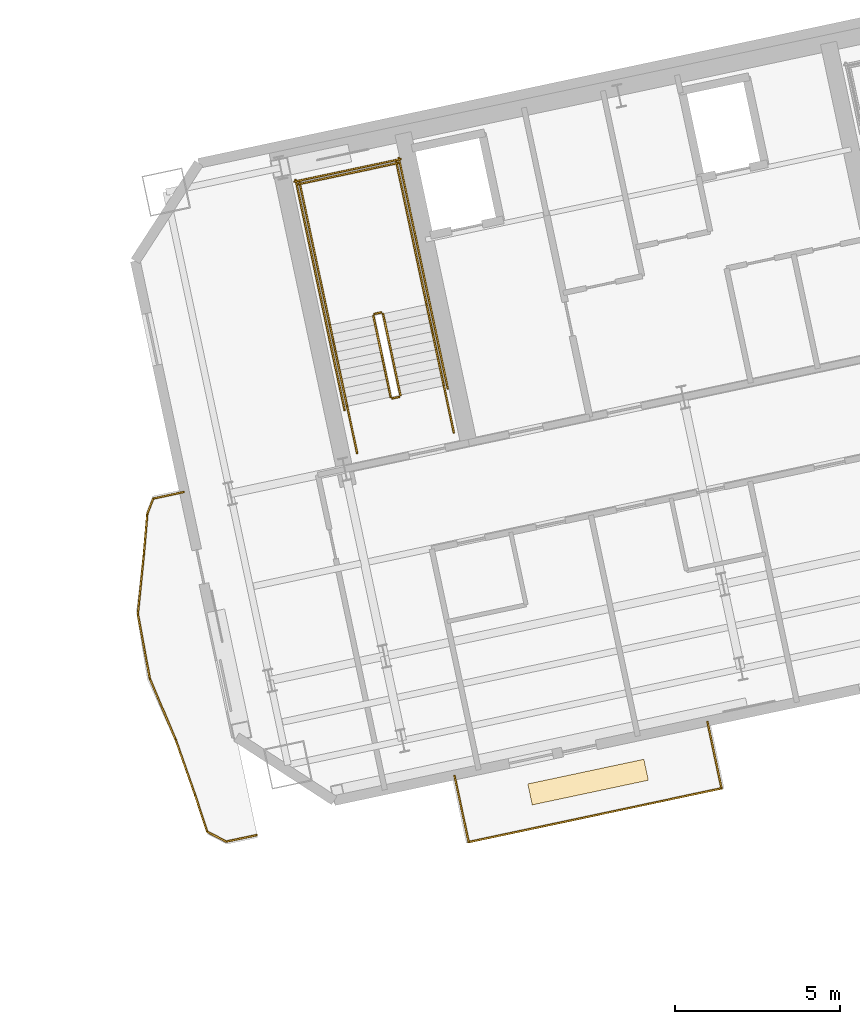
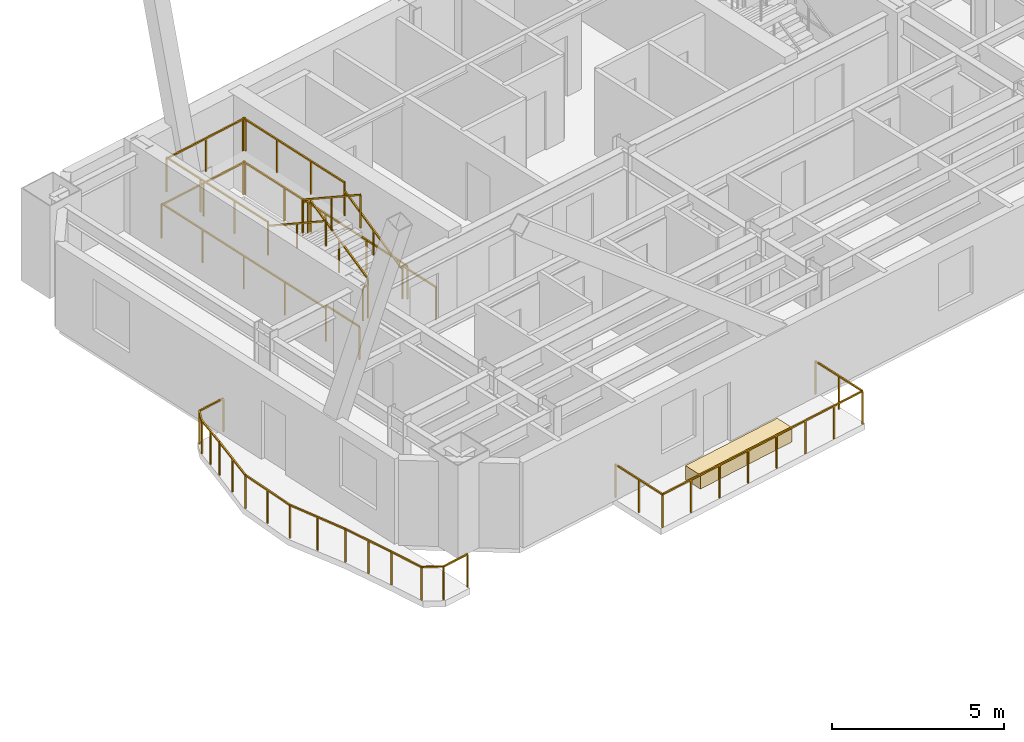
# One storey, part 12 of 13: 27 railings, 1 covering.
"""IFC4 building model written with IfcOpenShell, lengths in metres."""

from ifc_helpers import new_model, si_unit, direction, frame, origin, origin_2d, place, context, subcontext, project, spatial, rectangle, extrude, material, layer, layer_set, type_object, element, save


model = new_model("IFC4")

# Units and contexts
model_context = context("Model", 3, precision=1e-05, world=origin(), true_north=direction((0.0, 1.0)))
body_context = subcontext(model_context, "Body", "Model", "MODEL_VIEW")
ifc_project = project(units=[si_unit("LENGTHUNIT", "METRE"), si_unit("AREAUNIT", "SQUARE_METRE"), si_unit("VOLUMEUNIT", "CUBIC_METRE"), si_unit("PLANEANGLEUNIT", "RADIAN"), si_unit("MASSUNIT", "GRAM", prefix="KILO")], contexts=[model_context])

# Site, building, storey
site_placement = place(None, origin())
site = spatial("IfcSite", under=ifc_project, at=site_placement, CompositionType="ELEMENT")
building_placement = place(site_placement, origin())
building = spatial("IfcBuilding", under=site, at=building_placement, Name="Haevon Station Towers", CompositionType="ELEMENT")
storey_placement = place(building_placement, frame((0.0, 0.0, 185.699951171875)))
storey = spatial("IfcBuildingStorey", under=building, at=storey_placement, Name="L51", CompositionType="ELEMENT", Elevation=185.699951171875)

# Railings
ifc_material_1 = material(Name="Steel S355", Category="steel")
railing_type_1 = type_object("IfcRailingType", Name="GRD-EXT1200", PredefinedType="GUARDRAIL", material=ifc_material_1)
railing_1_placement = place(storey_placement, frame((93.866455078125, 36.74853515625, 0.0)))
element("IfcRailing", 1, at=railing_1_placement, inside=storey, type_object=railing_type_1, Name="L51 Perimeter Guardrail 1", PredefinedType="GUARDRAIL", context=body_context, shape_type="SweptSolid", body=[
    extrude(rectangle(XDim=0.048095703125, YDim=0.048095703125, at=origin_2d()), frame((0.0, 0.0, 1.17578125), z_axis=(-0.977684892297, -0.210076774952, 0.0), x_axis=(0.210076774952, -0.977684892297, 0.0)), (0.0, 0.0, 1.0), 0.943603515625),
    extrude(rectangle(XDim=0.0419921875, YDim=0.0419921875, at=origin_2d()), origin(), (0.0, 0.0, 1.0), 1.15185546875),
    extrude(rectangle(XDim=0.0419921875, YDim=0.0419921875, at=origin_2d()), frame((-0.922607421875, -0.1982421875, 0.0)), (0.0, 0.0, 1.0), 1.15185546875),
])
railing_2_placement = place(storey_placement, frame((92.94384765625, 36.55029296875, 0.0)))
element("IfcRailing", 2, at=railing_2_placement, inside=storey, type_object=railing_type_1, Name="L51 Perimeter Guardrail 2", PredefinedType="GUARDRAIL", context=body_context, shape_type="SweptSolid", body=[
    extrude(rectangle(XDim=0.048095703125, YDim=0.048095703125, at=origin_2d()), frame((0.0, 0.0, 1.17578125), z_axis=(-0.3657443694, -0.930715346522, 0.0), x_axis=(0.930715346522, -0.3657443694, 0.0)), (0.0, 0.0, 1.0), 0.49267578125),
    extrude(rectangle(XDim=0.0419921875, YDim=0.0419921875, at=origin_2d()), origin(), (0.0, 0.0, 1.0), 1.15185546875),
    extrude(rectangle(XDim=0.0419921875, YDim=0.0419921875, at=origin_2d()), frame((-0.18017578125, -0.45849609375, 0.0)), (0.0, 0.0, 1.0), 1.15185546875),
])
railing_3_placement = place(storey_placement, frame((92.763671875, 36.091796875, 0.0)))
element("IfcRailing", 3, at=railing_3_placement, inside=storey, type_object=railing_type_1, Name="L51 Perimeter Guardrail 3", PredefinedType="GUARDRAIL", context=body_context, shape_type="SweptSolid", body=[
    extrude(rectangle(XDim=0.048095703125, YDim=0.048095703125, at=origin_2d()), frame((0.0, 0.0, 1.17578125), z_axis=(-0.084251569955, -0.996444515746, 0.0), x_axis=(0.996444515746, -0.084251569955, 0.0)), (0.0, 0.0, 1.0), 1.222900390625),
    extrude(rectangle(XDim=0.0419921875, YDim=0.0419921875, at=origin_2d()), origin(), (0.0, 0.0, 1.0), 1.15185546875),
    extrude(rectangle(XDim=0.0419921875, YDim=0.0419921875, at=origin_2d()), frame((-0.051513671875, -0.609375, 0.0)), (0.0, 0.0, 1.0), 1.15185546875),
    extrude(rectangle(XDim=0.0419921875, YDim=0.0419921875, at=origin_2d()), frame((-0.10302734375, -1.218505859375, 0.0)), (0.0, 0.0, 1.0), 1.15185546875),
])
railing_4_placement = place(storey_placement, frame((92.66064453125, 34.873291015625, 0.0)))
element("IfcRailing", 4, at=railing_4_placement, inside=storey, type_object=railing_type_1, Name="L51 Perimeter Guardrail 4", PredefinedType="GUARDRAIL", context=body_context, shape_type="SweptSolid", body=[
    extrude(rectangle(XDim=0.048095703125, YDim=0.048095703125, at=origin_2d()), frame((0.0, 0.0, 1.17578125), z_axis=(-0.100440099448, -0.994943107129, 0.0), x_axis=(0.994943107129, -0.100440099448, 0.0)), (0.0, 0.0, 1.0), 1.832763671875),
    extrude(rectangle(XDim=0.0419921875, YDim=0.0419921875, at=origin_2d()), origin(), (0.0, 0.0, 1.0), 1.15185546875),
    extrude(rectangle(XDim=0.0419921875, YDim=0.0419921875, at=origin_2d()), frame((-0.092041015625, -0.91162109375, 0.0)), (0.0, 0.0, 1.0), 1.15185546875),
    extrude(rectangle(XDim=0.0419921875, YDim=0.0419921875, at=origin_2d()), frame((-0.18408203125, -1.823486328125, 0.0)), (0.0, 0.0, 1.0), 1.15185546875),
])
railing_5_placement = place(storey_placement, frame((92.4765625, 33.0498046875, 0.0)))
element("IfcRailing", 5, at=railing_5_placement, inside=storey, type_object=railing_type_1, Name="L51 Perimeter Guardrail 5", PredefinedType="GUARDRAIL", context=body_context, shape_type="SweptSolid", body=[
    extrude(rectangle(XDim=0.048095703125, YDim=0.048095703125, at=origin_2d()), frame((0.0, 0.0, 1.17578125), z_axis=(0.182084875325, -0.983282816985, 0.0), x_axis=(0.983282816985, 0.182084875325, 0.0)), (0.0, 0.0, 1.0), 1.993896484375),
    extrude(rectangle(XDim=0.0419921875, YDim=0.0419921875, at=origin_2d()), origin(), (0.0, 0.0, 1.0), 1.15185546875),
    extrude(rectangle(XDim=0.0419921875, YDim=0.0419921875, at=origin_2d()), frame((0.181640625, -0.980224609375, 0.0)), (0.0, 0.0, 1.0), 1.15185546875),
    extrude(rectangle(XDim=0.0419921875, YDim=0.0419921875, at=origin_2d()), frame((0.363037109375, -1.96044921875, 0.0)), (0.0, 0.0, 1.0), 1.15185546875),
])
railing_6_placement = place(storey_placement, frame((92.839599609375, 31.08935546875, 0.0)))
element("IfcRailing", 6, at=railing_6_placement, inside=storey, type_object=railing_type_1, Name="L51 Perimeter Guardrail 6", PredefinedType="GUARDRAIL", context=body_context, shape_type="SweptSolid", body=[
    extrude(rectangle(XDim=0.048095703125, YDim=0.048095703125, at=origin_2d()), frame((0.0, 0.0, 1.17578125), z_axis=(0.389683229783, -0.920948956472, 0.0), x_axis=(0.920948956472, 0.389683229783, 0.0)), (0.0, 0.0, 1.0), 2.026123046875),
    extrude(rectangle(XDim=0.0419921875, YDim=0.0419921875, at=origin_2d()), origin(), (0.0, 0.0, 1.0), 1.15185546875),
    extrude(rectangle(XDim=0.0419921875, YDim=0.0419921875, at=origin_2d()), frame((0.394775390625, -0.93310546875, 0.0)), (0.0, 0.0, 1.0), 1.15185546875),
    extrude(rectangle(XDim=0.0419921875, YDim=0.0419921875, at=origin_2d()), frame((0.78955078125, -1.865966796875, 0.0)), (0.0, 0.0, 1.0), 1.15185546875),
])
railing_7_placement = place(storey_placement, frame((93.629150390625, 29.223388671875, 0.0)))
element("IfcRailing", 7, at=railing_7_placement, inside=storey, type_object=railing_type_1, Name="L51 Perimeter Guardrail 7", PredefinedType="GUARDRAIL", context=body_context, shape_type="SweptSolid", body=[
    extrude(rectangle(XDim=0.048095703125, YDim=0.048095703125, at=origin_2d()), frame((0.0, 0.0, 1.17578125), z_axis=(0.332168477045, -0.943220071276, 0.0), x_axis=(0.943220071276, 0.332168477045, 0.0)), (0.0, 0.0, 1.0), 1.763916015625),
    extrude(rectangle(XDim=0.0419921875, YDim=0.0419921875, at=origin_2d()), origin(), (0.0, 0.0, 1.0), 1.15185546875),
    extrude(rectangle(XDim=0.0419921875, YDim=0.0419921875, at=origin_2d()), frame((0.29296875, -0.83203125, 0.0)), (0.0, 0.0, 1.0), 1.15185546875),
    extrude(rectangle(XDim=0.0419921875, YDim=0.0419921875, at=origin_2d()), frame((0.5859375, -1.663818359375, 0.0)), (0.0, 0.0, 1.0), 1.15185546875),
])
railing_8_placement = place(storey_placement, frame((94.215087890625, 27.5595703125, 0.0)))
element("IfcRailing", 8, at=railing_8_placement, inside=storey, type_object=railing_type_1, Name="L51 Perimeter Guardrail 8", PredefinedType="GUARDRAIL", context=body_context, shape_type="SweptSolid", body=[
    extrude(rectangle(XDim=0.048095703125, YDim=0.048095703125, at=origin_2d()), frame((0.0, 0.0, 1.17578125), z_axis=(0.312679916447, -0.949858552549, 0.0), x_axis=(0.949858552549, 0.312679916447, 0.0)), (0.0, 0.0, 1.0), 1.177490234375),
    extrude(rectangle(XDim=0.0419921875, YDim=0.0419921875, at=origin_2d()), origin(), (0.0, 0.0, 1.0), 1.15185546875),
    extrude(rectangle(XDim=0.0419921875, YDim=0.0419921875, at=origin_2d()), frame((0.3681640625, -1.118408203125, 0.0)), (0.0, 0.0, 1.0), 1.15185546875),
])
railing_9_placement = place(storey_placement, frame((94.583251953125, 26.441162109375, 0.0)))
element("IfcRailing", 9, at=railing_9_placement, inside=storey, type_object=railing_type_1, Name="L51 Perimeter Guardrail 9", PredefinedType="GUARDRAIL", context=body_context, shape_type="SweptSolid", body=[
    extrude(rectangle(XDim=0.048095703125, YDim=0.048095703125, at=origin_2d()), frame((0.0, 0.0, 1.17578125), z_axis=(0.886739807276, -0.462268876513, 0.0), x_axis=(0.462268876513, 0.886739807276, 0.0)), (0.0, 0.0, 1.0), 0.64599609375),
    extrude(rectangle(XDim=0.0419921875, YDim=0.0419921875, at=origin_2d()), origin(), (0.0, 0.0, 1.0), 1.15185546875),
    extrude(rectangle(XDim=0.0419921875, YDim=0.0419921875, at=origin_2d()), frame((0.57275390625, -0.298583984375, 0.0)), (0.0, 0.0, 1.0), 1.15185546875),
])
railing_10_placement = place(storey_placement, frame((95.156005859375, 26.142578125, 0.0)))
element("IfcRailing", 10, at=railing_10_placement, inside=storey, type_object=railing_type_1, Name="L51 Perimeter Guardrail 10", PredefinedType="GUARDRAIL", context=body_context, shape_type="SweptSolid", body=[
    extrude(rectangle(XDim=0.048095703125, YDim=0.048095703125, at=origin_2d()), frame((0.0, 0.0, 1.17578125), z_axis=(0.978560764673, 0.205958320645, 0.0), x_axis=(-0.205958320645, 0.978560764673, 0.0)), (0.0, 0.0, 1.0), 0.943603515625),
    extrude(rectangle(XDim=0.0419921875, YDim=0.0419921875, at=origin_2d()), origin(), (0.0, 0.0, 1.0), 1.15185546875),
    extrude(rectangle(XDim=0.0419921875, YDim=0.0419921875, at=origin_2d()), frame((0.92333984375, 0.1943359375, 0.0)), (0.0, 0.0, 1.0), 1.15185546875),
])
railing_11_placement = place(storey_placement, frame((102.514404296875, 26.127685546875, 0.0)))
element("IfcRailing", 11, at=railing_11_placement, inside=storey, type_object=railing_type_1, Name="L51 Perimeter Guardrail 1", PredefinedType="GUARDRAIL", context=body_context, shape_type="SweptSolid", body=[
    extrude(rectangle(XDim=0.048095703125, YDim=0.048095703125, at=origin_2d()), frame((0.0, 0.0, 1.17578125), z_axis=(0.978148093399, 0.207909372996, 0.0), x_axis=(-0.207909372996, 0.978148093399, 0.0)), (0.0, 0.0, 1.0), 7.84521484375),
    extrude(rectangle(XDim=0.0419921875, YDim=0.0419921875, at=origin_2d()), origin(), (0.0, 0.0, 1.0), 1.15185546875),
    extrude(rectangle(XDim=0.0419921875, YDim=0.0419921875, at=origin_2d()), frame((1.09619140625, 0.23291015625, 0.0)), (0.0, 0.0, 1.0), 1.15185546875),
    extrude(rectangle(XDim=0.0419921875, YDim=0.0419921875, at=origin_2d()), frame((2.192626953125, 0.466064453125, 0.0)), (0.0, 0.0, 1.0), 1.15185546875),
    extrude(rectangle(XDim=0.0419921875, YDim=0.0419921875, at=origin_2d()), frame((3.288818359375, 0.698974609375, 0.0)), (0.0, 0.0, 1.0), 1.15185546875),
    extrude(rectangle(XDim=0.0419921875, YDim=0.0419921875, at=origin_2d()), frame((4.385009765625, 0.93212890625, 0.0)), (0.0, 0.0, 1.0), 1.15185546875),
    extrude(rectangle(XDim=0.0419921875, YDim=0.0419921875, at=origin_2d()), frame((5.481201171875, 1.1650390625, 0.0)), (0.0, 0.0, 1.0), 1.15185546875),
    extrude(rectangle(XDim=0.0419921875, YDim=0.0419921875, at=origin_2d()), frame((6.57763671875, 1.398193359375, 0.0)), (0.0, 0.0, 1.0), 1.15185546875),
    extrude(rectangle(XDim=0.0419921875, YDim=0.0419921875, at=origin_2d()), frame((7.673828125, 1.631103515625, 0.0)), (0.0, 0.0, 1.0), 1.15185546875),
])
railing_12_placement = place(storey_placement, frame((110.188232421875, 27.7587890625, 0.0)))
element("IfcRailing", 12, at=railing_12_placement, inside=storey, type_object=railing_type_1, Name="L51 Perimeter Guardrail 2", PredefinedType="GUARDRAIL", context=body_context, shape_type="SweptSolid", body=[
    extrude(rectangle(XDim=0.048095703125, YDim=0.048095703125, at=origin_2d()), frame((0.0, 0.0, 1.17578125), z_axis=(-0.207962507169, 0.978136798005, 0.0), x_axis=(-0.978136798005, -0.207962507169, 0.0)), (0.0, 0.0, 1.0), 2.054443359375),
    extrude(rectangle(XDim=0.0419921875, YDim=0.0419921875, at=origin_2d()), origin(), (0.0, 0.0, 1.0), 1.15185546875),
    extrude(rectangle(XDim=0.0419921875, YDim=0.0419921875, at=origin_2d()), frame((-0.213623046875, 1.0048828125, 0.0)), (0.0, 0.0, 1.0), 1.15185546875),
    extrude(rectangle(XDim=0.0419921875, YDim=0.0419921875, at=origin_2d()), frame((-0.42724609375, 2.009521484375, 0.0)), (0.0, 0.0, 1.0), 1.15185546875),
])
railing_13_placement = place(storey_placement, frame((102.08740234375, 28.13720703125, 0.0)))
element("IfcRailing", 13, at=railing_13_placement, inside=storey, type_object=railing_type_1, Name="L51 Perimeter Guardrail 3", PredefinedType="GUARDRAIL", context=body_context, shape_type="SweptSolid", body=[
    extrude(rectangle(XDim=0.048095703125, YDim=0.048095703125, at=origin_2d()), frame((0.0, 0.0, 1.17578125), z_axis=(0.207848806692, -0.978160965055, 0.0), x_axis=(0.978160965055, 0.207848806692, 0.0)), (0.0, 0.0, 1.0), 2.054443359375),
    extrude(rectangle(XDim=0.0419921875, YDim=0.0419921875, at=origin_2d()), origin(), (0.0, 0.0, 1.0), 1.15185546875),
    extrude(rectangle(XDim=0.0419921875, YDim=0.0419921875, at=origin_2d()), frame((0.21337890625, -1.0048828125, 0.0)), (0.0, 0.0, 1.0), 1.15185546875),
    extrude(rectangle(XDim=0.0419921875, YDim=0.0419921875, at=origin_2d()), frame((0.427001953125, -2.009521484375, 0.0)), (0.0, 0.0, 1.0), 1.15185546875),
])
railing_type_2 = type_object("IfcRailingType", Name="GRD-STR1200", PredefinedType="GUARDRAIL", material=ifc_material_1)
railing_14_placement = place(storey_placement, frame((100.44140625, 39.69287109375, 0.1650390625)))
element("IfcRailing", 14, at=railing_14_placement, inside=storey, type_object=railing_type_2, Name="L51 ST3 Stair Guard 1", PredefinedType="GUARDRAIL", context=body_context, shape_type="SweptSolid", body=[
    extrude(rectangle(XDim=0.048095703125, YDim=0.048095703125, at=origin_2d()), frame((0.0, 0.0, 1.17578125), z_axis=(-0.179121265225, 0.842687928106, 0.507732831485), x_axis=(-0.978147030254, -0.207914374695, 0.0)), (0.0, 0.0, 1.0), 2.925048828125),
    extrude(rectangle(XDim=0.0419921875, YDim=0.0419921875, at=origin_2d()), origin(), (0.0, 0.0, 1.0), 1.15185546875),
    extrude(rectangle(XDim=0.0419921875, YDim=0.0419921875, at=origin_2d()), frame((-0.261962890625, 1.232421875, 0.74267578125)), (0.0, 0.0, 1.0), 1.15185546875),
    extrude(rectangle(XDim=0.0419921875, YDim=0.0419921875, at=origin_2d()), frame((-0.52392578125, 2.46484375, 1.485107421875)), (0.0, 0.0, 1.0), 1.15185546875),
])
railing_15_placement = place(storey_placement, frame((99.858154296875, 42.1962890625, 1.650146484375)))
element("IfcRailing", 15, at=railing_15_placement, inside=storey, type_object=railing_type_2, Name="L51 ST3 Stair Guard 2", PredefinedType="GUARDRAIL", context=body_context, shape_type="SweptSolid", body=[
    extrude(rectangle(XDim=0.048095703125, YDim=0.048095703125, at=origin_2d()), frame((0.0, 0.0, 1.17578125), z_axis=(-0.977962931203, -0.208778603291, 0.0), x_axis=(0.208778603291, -0.977962931203, 0.0)), (0.0, 0.0, 1.0), 0.199951171875),
    extrude(rectangle(XDim=0.0419921875, YDim=0.0419921875, at=origin_2d()), origin(), (0.0, 0.0, 1.0), 1.15185546875),
    extrude(rectangle(XDim=0.0419921875, YDim=0.0419921875, at=origin_2d()), frame((-0.195556640625, -0.041748046875, 0.0)), (0.0, 0.0, 1.0), 1.15185546875),
])
railing_16_placement = place(storey_placement, frame((101.238037109375, 42.4384765625, 1.650146484375)))
element("IfcRailing", 16, at=railing_16_placement, inside=storey, type_object=railing_type_2, Name="L51 ST3 Stair Guard 3", PredefinedType="GUARDRAIL", context=body_context, shape_type="SweptSolid", body=[
    extrude(rectangle(XDim=0.048095703125, YDim=0.048095703125, at=origin_2d()), frame((0.0, 0.0, 1.17578125), z_axis=(-0.20794048909, 0.978141479029, 0.0), x_axis=(-0.978141479029, -0.20794048909, 0.0)), (0.0, 0.0, 1.0), 4.429931640625),
    extrude(rectangle(XDim=0.0419921875, YDim=0.0419921875, at=origin_2d()), origin(), (0.0, 0.0, 1.0), 1.15185546875),
    extrude(rectangle(XDim=0.0419921875, YDim=0.0419921875, at=origin_2d()), frame((-0.30712890625, 1.4443359375, 0.0)), (0.0, 0.0, 1.0), 1.15185546875),
    extrude(rectangle(XDim=0.0419921875, YDim=0.0419921875, at=origin_2d()), frame((-0.614013671875, 2.888671875, 0.0)), (0.0, 0.0, 1.0), 1.15185546875),
    extrude(rectangle(XDim=0.0419921875, YDim=0.0419921875, at=origin_2d()), frame((-0.921142578125, 4.3330078125, 0.0)), (0.0, 0.0, 1.0), 1.15185546875),
])
railing_17_placement = place(storey_placement, frame((98.303466796875, 41.814697265625, 1.650146484375)))
element("IfcRailing", 17, at=railing_17_placement, inside=storey, type_object=railing_type_2, Name="L51 ST3 Stair Guard 4", PredefinedType="GUARDRAIL", context=body_context, shape_type="SweptSolid", body=[
    extrude(rectangle(XDim=0.048095703125, YDim=0.048095703125, at=origin_2d()), frame((0.0, 0.0, 1.17578125), z_axis=(-0.207876551949, 0.978155069071, 0.0), x_axis=(-0.978155069071, -0.207876551949, 0.0)), (0.0, 0.0, 1.0), 4.429931640625),
    extrude(rectangle(XDim=0.0419921875, YDim=0.0419921875, at=origin_2d()), origin(), (0.0, 0.0, 1.0), 1.15185546875),
    extrude(rectangle(XDim=0.0419921875, YDim=0.0419921875, at=origin_2d()), frame((-0.306884765625, 1.4443359375, 0.0)), (0.0, 0.0, 1.0), 1.15185546875),
    extrude(rectangle(XDim=0.0419921875, YDim=0.0419921875, at=origin_2d()), frame((-0.614013671875, 2.888916015625, 0.0)), (0.0, 0.0, 1.0), 1.15185546875),
    extrude(rectangle(XDim=0.0419921875, YDim=0.0419921875, at=origin_2d()), frame((-0.9208984375, 4.333251953125, 0.0)), (0.0, 0.0, 1.0), 1.15185546875),
])
railing_18_placement = place(storey_placement, frame((100.376220703125, 46.733154296875, 1.650146484375)))
element("IfcRailing", 18, at=railing_18_placement, inside=storey, type_object=railing_type_2, Name="L51 ST3 Stair Guard 5", PredefinedType="GUARDRAIL", context=body_context, shape_type="SweptSolid", body=[
    extrude(rectangle(XDim=0.048095703125, YDim=0.048095703125, at=origin_2d()), frame((0.0, 0.0, 1.17578125), z_axis=(-0.978146839882, -0.207915270313, 0.0), x_axis=(0.207915270313, -0.978146839882, 0.0)), (0.0, 0.0, 1.0), 3.099853515625),
    extrude(rectangle(XDim=0.0419921875, YDim=0.0419921875, at=origin_2d()), origin(), (0.0, 0.0, 1.0), 1.15185546875),
    extrude(rectangle(XDim=0.0419921875, YDim=0.0419921875, at=origin_2d()), frame((-1.51611328125, -0.322265625, 0.0)), (0.0, 0.0, 1.0), 1.15185546875),
    extrude(rectangle(XDim=0.0419921875, YDim=0.0419921875, at=origin_2d()), frame((-3.0322265625, -0.64453125, 0.0)), (0.0, 0.0, 1.0), 1.15185546875),
])
railing_19_placement = place(storey_placement, frame((99.6240234375, 42.09521484375, 1.81494140625)))
element("IfcRailing", 19, at=railing_19_placement, inside=storey, type_object=railing_type_2, Name="L51 ST3 Stair Guard 6", PredefinedType="GUARDRAIL", context=body_context, shape_type="SweptSolid", body=[
    extrude(rectangle(XDim=0.048095703125, YDim=0.048095703125, at=origin_2d()), frame((0.0, 0.0, 1.17578125), z_axis=(0.179121265225, -0.842687928106, 0.507732831485), x_axis=(0.978147030254, 0.207914374695, 0.0)), (0.0, 0.0, 1.0), 2.925048828125),
    extrude(rectangle(XDim=0.0419921875, YDim=0.0419921875, at=origin_2d()), origin(), (0.0, 0.0, 1.0), 1.15185546875),
    extrude(rectangle(XDim=0.0419921875, YDim=0.0419921875, at=origin_2d()), frame((0.261962890625, -1.232421875, 0.74267578125)), (0.0, 0.0, 1.0), 1.15185546875),
    extrude(rectangle(XDim=0.0419921875, YDim=0.0419921875, at=origin_2d()), frame((0.52392578125, -2.46484375, 1.485107421875)), (0.0, 0.0, 1.0), 1.15185546875),
])
railing_20_placement = place(storey_placement, frame((100.40283203125, 39.633544921875, 0.0)))
element("IfcRailing", 20, at=railing_20_placement, inside=storey, type_object=railing_type_2, Name="L51 ST3 Stair Guard 7", PredefinedType="GUARDRAIL", context=body_context, shape_type="SweptSolid", body=[
    extrude(rectangle(XDim=0.048095703125, YDim=0.048095703125, at=origin_2d()), frame((0.0, 0.0, 1.17578125), z_axis=(-0.977962931203, -0.208778603291, 0.0), x_axis=(0.208778603291, -0.977962931203, 0.0)), (0.0, 0.0, 1.0), 0.199951171875),
    extrude(rectangle(XDim=0.0419921875, YDim=0.0419921875, at=origin_2d()), origin(), (0.0, 0.0, 1.0), 1.15185546875),
    extrude(rectangle(XDim=0.0419921875, YDim=0.0419921875, at=origin_2d()), frame((-0.195556640625, -0.041748046875, 0.0)), (0.0, 0.0, 1.0), 1.15185546875),
])
for number, where, name in (
    (21, (102.0634765625, 38.55517578125, 0.0), "L51 ST3 Stair Guard 8"),
    (22, (99.12890625, 37.931396484375, 0.0), "L51 ST3 Stair Guard 9"),
):
    element("IfcRailing", number, at=place(storey_placement, frame(where)), inside=storey, type_object=railing_type_2, Name=name, PredefinedType="GUARDRAIL", context=body_context, shape_type="SweptSolid", body=[
        extrude(rectangle(XDim=0.048095703125, YDim=0.048095703125, at=origin_2d()), frame((0.0, 0.0, 1.17578125), z_axis=(-0.207953405961, 0.978138732977, 0.0), x_axis=(-0.978138732977, -0.207953405961, 0.0)), (0.0, 0.0, 1.0), 1.449951171875),
        extrude(rectangle(XDim=0.0419921875, YDim=0.0419921875, at=origin_2d()), origin(), (0.0, 0.0, 1.0), 1.15185546875),
        extrude(rectangle(XDim=0.0419921875, YDim=0.0419921875, at=origin_2d()), frame((-0.301513671875, 1.418212890625, 0.0)), (0.0, 0.0, 1.0), 1.15185546875),
    ])
railing_21_placement = place(storey_placement, frame((101.88037109375, 39.896484375, 0.0)))
element("IfcRailing", 23, at=railing_21_placement, inside=storey, type_object=railing_type_2, Name="L51 ST3 Stair Guard 10", PredefinedType="GUARDRAIL", context=body_context, shape_type="SweptSolid", body=[
    extrude(rectangle(XDim=0.048095703125, YDim=0.048095703125, at=origin_2d()), frame((0.0, 0.0, 1.17578125), z_axis=(-0.207882442208, 0.978153817261, 0.0), x_axis=(-0.978153817261, -0.207882442208, 0.0)), (0.0, 0.0, 1.0), 7.14990234375),
    extrude(rectangle(XDim=0.0419921875, YDim=0.0419921875, at=origin_2d()), origin(), (0.0, 0.0, 1.0), 1.15185546875),
    extrude(rectangle(XDim=0.0419921875, YDim=0.0419921875, at=origin_2d()), frame((-0.37158203125, 1.74853515625, 0.0)), (0.0, 0.0, 1.0), 1.15185546875),
    extrude(rectangle(XDim=0.0419921875, YDim=0.0419921875, at=origin_2d()), frame((-0.7431640625, 3.496826171875, 0.0)), (0.0, 0.0, 1.0), 1.15185546875),
    extrude(rectangle(XDim=0.0419921875, YDim=0.0419921875, at=origin_2d()), frame((-1.11474609375, 5.2451171875, 0.0)), (0.0, 0.0, 1.0), 1.15185546875),
    extrude(rectangle(XDim=0.0419921875, YDim=0.0419921875, at=origin_2d()), frame((-1.486328125, 6.99365234375, 0.0)), (0.0, 0.0, 1.0), 1.15185546875),
])
railing_22_placement = place(storey_placement, frame((98.75048828125, 39.231201171875, 0.0)))
element("IfcRailing", 24, at=railing_22_placement, inside=storey, type_object=railing_type_2, Name="L51 ST3 Stair Guard 11", PredefinedType="GUARDRAIL", context=body_context, shape_type="SweptSolid", body=[
    extrude(rectangle(XDim=0.048095703125, YDim=0.048095703125, at=origin_2d()), frame((0.0, 0.0, 1.17578125), z_axis=(-0.207915112487, 0.978146873429, 0.0), x_axis=(-0.978146873429, -0.207915112487, 0.0)), (0.0, 0.0, 1.0), 7.14990234375),
    extrude(rectangle(XDim=0.0419921875, YDim=0.0419921875, at=origin_2d()), origin(), (0.0, 0.0, 1.0), 1.15185546875),
    extrude(rectangle(XDim=0.0419921875, YDim=0.0419921875, at=origin_2d()), frame((-0.37158203125, 1.74853515625, 0.0)), (0.0, 0.0, 1.0), 1.15185546875),
    extrude(rectangle(XDim=0.0419921875, YDim=0.0419921875, at=origin_2d()), frame((-0.7431640625, 3.496826171875, 0.0)), (0.0, 0.0, 1.0), 1.15185546875),
    extrude(rectangle(XDim=0.0419921875, YDim=0.0419921875, at=origin_2d()), frame((-1.114990234375, 5.2451171875, 0.0)), (0.0, 0.0, 1.0), 1.15185546875),
    extrude(rectangle(XDim=0.0419921875, YDim=0.0419921875, at=origin_2d()), frame((-1.486572265625, 6.99365234375, 0.0)), (0.0, 0.0, 1.0), 1.15185546875),
])
railing_23_placement = place(storey_placement, frame((100.453125, 46.8515625, 0.0)))
element("IfcRailing", 25, at=railing_23_placement, inside=storey, type_object=railing_type_2, Name="L51 ST3 Stair Guard 12", PredefinedType="GUARDRAIL", context=body_context, shape_type="SweptSolid", body=[
    extrude(rectangle(XDim=0.048095703125, YDim=0.048095703125, at=origin_2d()), frame((0.0, 0.0, 1.17578125), z_axis=(-0.978150764849, -0.207896804268, 0.0), x_axis=(0.207896804268, -0.978150764849, 0.0)), (0.0, 0.0, 1.0), 3.2998046875),
    extrude(rectangle(XDim=0.0419921875, YDim=0.0419921875, at=origin_2d()), origin(), (0.0, 0.0, 1.0), 1.15185546875),
    extrude(rectangle(XDim=0.0419921875, YDim=0.0419921875, at=origin_2d()), frame((-1.61376953125, -0.343017578125, 0.0)), (0.0, 0.0, 1.0), 1.15185546875),
    extrude(rectangle(XDim=0.0419921875, YDim=0.0419921875, at=origin_2d()), frame((-3.227783203125, -0.68603515625, 0.0)), (0.0, 0.0, 1.0), 1.15185546875),
])
railing_type_3 = type_object("IfcRailingType", Name="HND-STR900", PredefinedType="HANDRAIL", material=ifc_material_1)
railing_24_placement = place(storey_placement, frame((101.761962890625, 39.973388671875, 0.1650390625)))
element("IfcRailing", 26, at=railing_24_placement, inside=storey, type_object=railing_type_3, Name="L51 ST3 Stair Handrail 1", PredefinedType="HANDRAIL", context=body_context, shape_type="SweptSolid", body=[
    extrude(rectangle(XDim=0.048095703125, YDim=0.048095703125, at=origin_2d()), frame((0.0, 0.0, 0.8759765625), z_axis=(-0.179108667068, 0.842712120868, 0.50769712105), x_axis=(-0.978151217824, -0.207894673017, 0.0)), (0.0, 0.0, 1.0), 2.92529296875),
    extrude(rectangle(XDim=0.0419921875, YDim=0.0419921875, at=origin_2d()), origin(), (0.0, 0.0, 1.0), 0.851806640625),
    extrude(rectangle(XDim=0.0419921875, YDim=0.0419921875, at=origin_2d()), frame((-0.261962890625, 1.232421875, 0.74267578125)), (0.0, 0.0, 1.0), 0.851806640625),
    extrude(rectangle(XDim=0.0419921875, YDim=0.0419921875, at=origin_2d()), frame((-0.52392578125, 2.465087890625, 1.485107421875)), (0.0, 0.0, 1.0), 0.851806640625),
])
railing_25_placement = place(storey_placement, frame((98.303466796875, 41.814697265625, 1.81494140625)))
element("IfcRailing", 27, at=railing_25_placement, inside=storey, type_object=railing_type_3, Name="L51 ST3 Stair Handrail 2", PredefinedType="HANDRAIL", context=body_context, shape_type="SweptSolid", body=[
    extrude(rectangle(XDim=0.048095703125, YDim=0.048095703125, at=origin_2d()), frame((0.0, 0.0, 0.8759765625), z_axis=(0.179108667068, -0.842712120868, 0.50769712105), x_axis=(0.978151217824, 0.207894673017, 0.0)), (0.0, 0.0, 1.0), 2.92529296875),
    extrude(rectangle(XDim=0.0419921875, YDim=0.0419921875, at=origin_2d()), origin(), (0.0, 0.0, 1.0), 0.851806640625),
    extrude(rectangle(XDim=0.0419921875, YDim=0.0419921875, at=origin_2d()), frame((0.261962890625, -1.232421875, 0.74267578125)), (0.0, 0.0, 1.0), 0.851806640625),
    extrude(rectangle(XDim=0.0419921875, YDim=0.0419921875, at=origin_2d()), frame((0.52392578125, -2.465087890625, 1.485107421875)), (0.0, 0.0, 1.0), 0.851806640625),
])

# Covering
ifc_material_2 = material(Name="Architectural planter GRC", Category="concrete")
ifc_layer = layer(ifc_material_2, 0.550048828125)
ifc_layer_set = layer_set([ifc_layer], Name="Architectural planter GRC")
covering_type = type_object("IfcCoveringType", Name="PLN-GRC550", PredefinedType="MOLDING", material=ifc_layer_set)
covering_placement = place(storey_placement, frame((106.1376953125, 27.947998046875, 0.0), z_axis=(0.0, 0.0, 1.0), x_axis=(0.978147600734, 0.207911690818, 0.0)))
element("IfcCovering", 28, at=covering_placement, inside=storey, type_object=covering_type, Name="Tower 2 L51 Facade Trough PLANTER", PredefinedType="MOLDING", context=body_context, shape_type="SweptSolid", body=[
    extrude(rectangle(XDim=3.60009765625, YDim=0.64990234375, at=origin_2d()), origin(), (0.0, 0.0, 1.0), 0.5),
])

save(model, "model.ifc")
